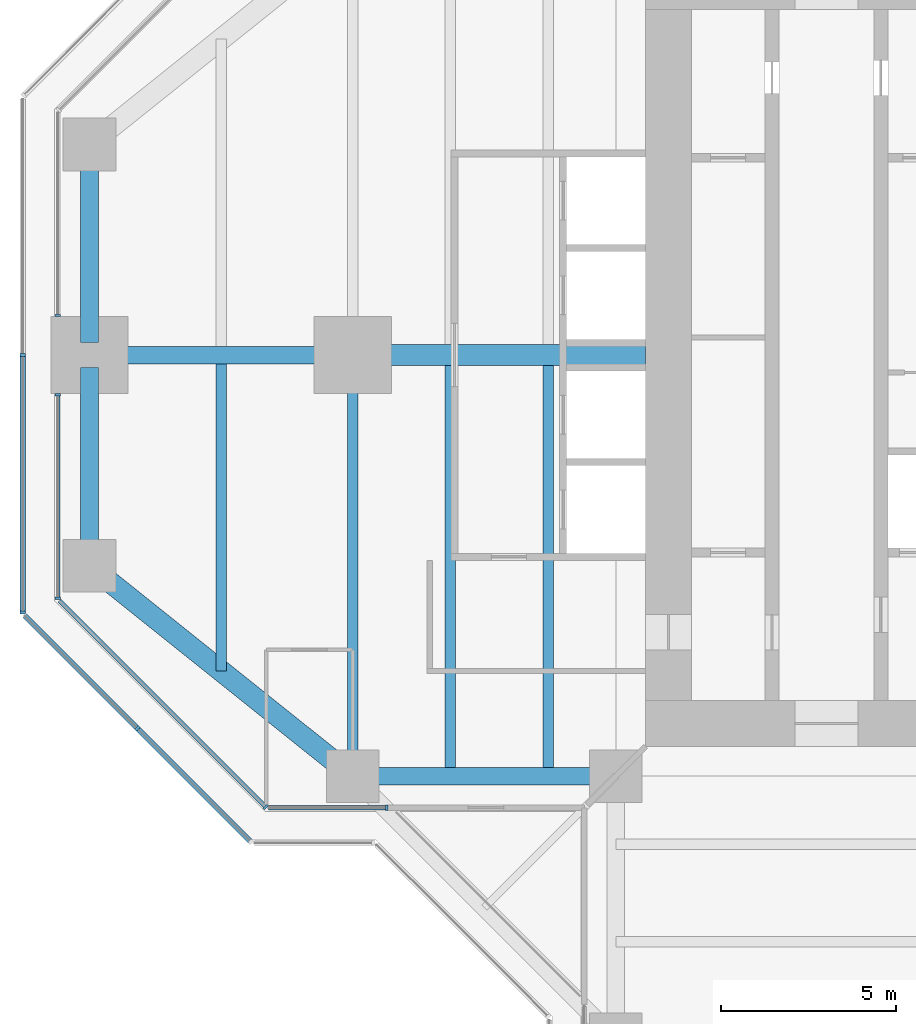
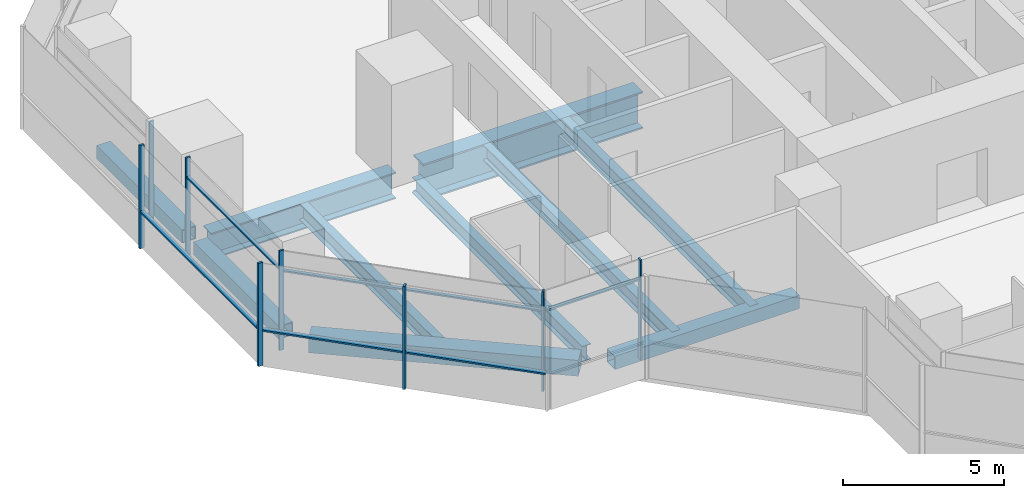
# One storey, part 3 of 17: 14 members, 10 beams, 6 elements without a shape of their own.
"""IFC4 building model written with IfcOpenShell, lengths in metres."""

from ifc_helpers import new_model, si_unit, direction, frame, origin, origin_2d, place, context, subcontext, project, spatial, rectangle, hollow_rectangle, i_section, extrude, material, material_profile, profile_set, type_object, element, aggregate, save


model = new_model("IFC4")

# Units and contexts
model_context = context("Model", 3, precision=1e-05, world=origin(), true_north=direction((0.0, 1.0)))
body_context = subcontext(model_context, "Body", "Model", "MODEL_VIEW")
ifc_project = project(units=[si_unit("LENGTHUNIT", "METRE"), si_unit("AREAUNIT", "SQUARE_METRE"), si_unit("VOLUMEUNIT", "CUBIC_METRE"), si_unit("PLANEANGLEUNIT", "RADIAN"), si_unit("MASSUNIT", "GRAM", prefix="KILO")], contexts=[model_context])

# Site, building, storey
site_placement = place(None, origin())
site = spatial("IfcSite", under=ifc_project, at=site_placement, CompositionType="ELEMENT")
building_placement = place(site_placement, origin())
building = spatial("IfcBuilding", under=site, at=building_placement, Name="Mizan Broadcast Tower", CompositionType="ELEMENT")
storey_placement = place(building_placement, frame((0.0, 0.0, 228.300048828125)))
storey = spatial("IfcBuildingStorey", under=building, at=storey_placement, Name="L53", CompositionType="ELEMENT", Elevation=228.300048828125)

# Beams
ifc_material_1 = material(Name="Steel S355", Category="steel")
ifc_material_profile_1 = material_profile(ifc_material_1, hollow_rectangle(XDim=0.5, YDim=0.5, WallThickness=0.030029296875, at=origin_2d()), Name="BOX 500x500x30")
ifc_profile_set_1 = profile_set([ifc_material_profile_1], Name="Steel S355")
beam_type_1 = type_object("IfcBeamType", Name="EDGE BEAM BOX 500x500x30", PredefinedType="SPANDREL", material=ifc_profile_set_1)
beam_1_placement = place(storey_placement, frame((-27.0, 5.639892578125, -0.380126953125), z_axis=(0.0, -1.0, 0.0), x_axis=(1.0, 0.0, 0.0)))
element("IfcBeam", 1, at=beam_1_placement, inside=storey, type_object=beam_type_1, Name="Edge beam BOX 500x500x30 L53 west arm", PredefinedType="SPANDREL", context=body_context, shape_type="SweptSolid", body=[
    extrude(hollow_rectangle(XDim=0.5, YDim=0.5, WallThickness=0.030029296875, at=origin_2d()), origin(), (0.0, 0.0, 1.0), 5.27978515625),
])
beam_2_placement = place(storey_placement, frame((-12.449951171875, -12.0, -0.380126953125), z_axis=(-1.0, 0.0, 0.0), x_axis=(0.0, -1.0, 0.0)))
element("IfcBeam", 2, at=beam_2_placement, inside=storey, type_object=beam_type_1, Name="Edge beam BOX 500x500x30 L53 west arm", PredefinedType="SPANDREL", context=body_context, shape_type="SweptSolid", body=[
    extrude(hollow_rectangle(XDim=0.5, YDim=0.5, WallThickness=0.030029296875, at=origin_2d()), origin(), (0.0, 0.0, 1.0), 6.60009765625),
])
beam_3_placement = place(storey_placement, frame((-27.0, -5.639892578125, -0.380126953125), z_axis=(0.0, 1.0, 0.0), x_axis=(-1.0, 0.0, 0.0)))
element("IfcBeam", 3, at=beam_3_placement, inside=storey, type_object=beam_type_1, Name="Edge beam BOX 500x500x30 L53 west arm", PredefinedType="SPANDREL", context=body_context, shape_type="SweptSolid", body=[
    extrude(hollow_rectangle(XDim=0.5, YDim=0.5, WallThickness=0.030029296875, at=origin_2d()), origin(), (0.0, 0.0, 1.0), 5.27978515625),
])
ifc_material_2 = material(Name="Steel S355", Category="steel")
ifc_material_profile_2 = material_profile(ifc_material_2, hollow_rectangle(XDim=0.60009765625, YDim=0.60009765625, WallThickness=0.030029296875, at=origin_2d()), Name="BOX 600x600x30")
ifc_profile_set_2 = profile_set([ifc_material_profile_2], Name="Steel S355")
beam_type_2 = type_object("IfcBeamType", Name="EDGE BEAM BOX 600x600x30", PredefinedType="SPANDREL", material=ifc_profile_set_2)
beam_4_placement = place(storey_placement, frame((-19.949951171875, -11.639892578125, -0.429931640625), z_axis=(-0.780885717636, 0.624673911726, 0.0), x_axis=(-0.624673911726, -0.780885717636, 0.0)))
element("IfcBeam", 4, at=beam_4_placement, inside=storey, type_object=beam_type_2, Name="Edge beam BOX 600x600x30 L53 west arm", PredefinedType="SPANDREL", context=body_context, shape_type="SweptSolid", body=[
    extrude(hollow_rectangle(XDim=0.60009765625, YDim=0.60009765625, WallThickness=0.030029296875, at=origin_2d()), origin(), (0.0, 0.0, 1.0), 8.4521484375),
])
ifc_material_3 = material(Name="Steel S355", Category="steel")
ifc_material_profile_3 = material_profile(ifc_material_3, i_section(OverallWidth=0.300048828125, OverallDepth=0.590087890625, WebThickness=0.012939453125, FlangeThickness=0.02490234375, FilletRadius=0.027099609375, at=origin_2d()), Name="HEA 600")
ifc_profile_set_3 = profile_set([ifc_material_profile_3], Name="Steel S355")
beam_type_3 = type_object("IfcBeamType", Name="GIRDER HEA 600", PredefinedType="BEAM", material=ifc_profile_set_3)
beam_5_placement = place(storey_placement, frame((-19.5, -11.280029296875, -0.425048828125), z_axis=(0.0, 1.0, 0.0), x_axis=(-1.0, 0.0, 0.0)))
element("IfcBeam", 5, at=beam_5_placement, inside=storey, type_object=beam_type_3, Name="Girder HEA 600 L53 west arm", PredefinedType="BEAM", context=body_context, shape_type="SweptSolid", body=[
    extrude(i_section(OverallWidth=0.300048828125, OverallDepth=0.590087890625, WebThickness=0.012939453125, FlangeThickness=0.02490234375, FilletRadius=0.027099609375, at=origin_2d()), origin(), (0.0, 0.0, 1.0), 10.56005859375),
])
ifc_material_4 = material(Name="Steel S460", Category="steel")
ifc_material_profile_4 = material_profile(ifc_material_4, i_section(OverallWidth=0.5, OverallDepth=1.0, WebThickness=0.02490234375, FlangeThickness=0.050048828125, at=origin_2d()), Name="WPG 1000x500")
ifc_profile_set_4 = profile_set([ifc_material_profile_4], Name="Steel S460")
beam_type_4 = type_object("IfcBeamType", Name="GIRDER WPG 1000x500", PredefinedType="BEAM", material=ifc_profile_set_4)
beam_6_placement = place(storey_placement, frame((-19.949951171875, 0.0, -0.630126953125), z_axis=(-1.0, 0.0, 0.0), x_axis=(0.0, -1.0, 0.0)))
element("IfcBeam", 6, at=beam_6_placement, inside=storey, type_object=beam_type_4, Name="Girder WPG 1000x500 L53 west arm", PredefinedType="BEAM", context=body_context, shape_type="SweptSolid", body=[
    extrude(i_section(OverallWidth=0.5, OverallDepth=1.0, WebThickness=0.02490234375, FlangeThickness=0.050048828125, at=origin_2d()), origin(), (0.0, 0.0, 1.0), 6.60009765625),
])
ifc_material_5 = material(Name="Steel S460", Category="steel")
ifc_material_profile_5 = material_profile(ifc_material_5, i_section(OverallWidth=0.60009765625, OverallDepth=1.39990234375, WebThickness=0.02490234375, FlangeThickness=0.06005859375, at=origin_2d()), Name="WPG 1400x600")
ifc_profile_set_5 = profile_set([ifc_material_profile_5], Name="Steel S460")
beam_type_5 = type_object("IfcBeamType", Name="GIRDER WPG 1400x600", PredefinedType="BEAM", material=ifc_profile_set_5)
beam_7_placement = place(storey_placement, frame((-11.14990234375, 0.0, -0.830078125), z_axis=(-1.0, 0.0, 0.0), x_axis=(0.0, -1.0, 0.0)))
element("IfcBeam", 7, at=beam_7_placement, inside=storey, type_object=beam_type_5, Name="Girder WPG 1400x600 L53 west arm", PredefinedType="BEAM", context=body_context, shape_type="SweptSolid", body=[
    extrude(i_section(OverallWidth=0.60009765625, OverallDepth=1.39990234375, WebThickness=0.02490234375, FlangeThickness=0.06005859375, at=origin_2d()), origin(), (0.0, 0.0, 1.0), 7.84912109375),
])

# Curtain wall, member
ifc_material_6 = material(Name="Aluminium framed glazing", Category="aluminium")
curtain_wall_type_1 = type_object("IfcCurtainWallType", Name="INNER SKIN HIGH ZONE", PredefinedType="USERDEFINED", material=ifc_material_6)
curtain_wall_1_placement = place(storey_placement, origin())
curtain_wall_1 = element("IfcCurtainWall", 8, at=curtain_wall_1_placement, inside=storey, type_object=curtain_wall_type_1, Name="Inner skin high zone L53 W end", ObjectType="INNER SKIN HIGH ZONE", PredefinedType="USERDEFINED")
ifc_material_7 = material(Name="Aluminium, pale anodised", Category="aluminium")
ifc_material_profile_6 = material_profile(ifc_material_7, rectangle(XDim=0.159912109375, YDim=0.06005859375, at=origin_2d()), Name="MULLION 160x60")
ifc_profile_set_6 = profile_set([ifc_material_profile_6], Name="Aluminium, pale anodised")
member_type_1 = type_object("IfcMemberType", Name="INNER SKIN MULLION 60x160", PredefinedType="MULLION", material=ifc_profile_set_6)
member_1_placement = place(storey_placement, frame((-27.89990234375, 1.1298828125, 0.0), z_axis=(0.0, 0.0, 1.0), x_axis=(1.0, 0.0, 0.0)))
member_1 = element("IfcMember", 9, at=member_1_placement, type_object=member_type_1, Name="Inner skin high zone L53 W end mullion 2", PredefinedType="MULLION", context=body_context, shape_type="SweptSolid", body=[
    extrude(rectangle(XDim=0.159912109375, YDim=0.06005859375, at=origin_2d()), origin(), (0.0, 0.0, 1.0), 3.77001953125),
])
aggregate(curtain_wall_1, [member_1])

# Curtain wall, members
curtain_wall_2_placement = place(storey_placement, origin())
curtain_wall_2 = element("IfcCurtainWall", 10, at=curtain_wall_2_placement, inside=storey, type_object=curtain_wall_type_1, Name="Inner skin high zone L53 W end", ObjectType="INNER SKIN HIGH ZONE", PredefinedType="USERDEFINED")
member_2_placement = place(storey_placement, frame((-27.89990234375, -1.1298828125, 0.0), z_axis=(0.0, 0.0, 1.0), x_axis=(1.0, 0.0, 0.0)))
member_2 = element("IfcMember", 11, at=member_2_placement, type_object=member_type_1, Name="Inner skin high zone L53 W end mullion 1", PredefinedType="MULLION", context=body_context, shape_type="SweptSolid", body=[
    extrude(rectangle(XDim=0.159912109375, YDim=0.06005859375, at=origin_2d()), origin(), (0.0, 0.0, 1.0), 3.77001953125),
])
member_3_placement = place(storey_placement, frame((-27.89990234375, -6.928466796875, 0.0), z_axis=(0.0, 0.0, 1.0), x_axis=(1.0, 0.0, 0.0)))
member_3 = element("IfcMember", 12, at=member_3_placement, type_object=member_type_1, Name="Inner skin high zone L53 W end mullion 2", PredefinedType="MULLION", context=body_context, shape_type="SweptSolid", body=[
    extrude(rectangle(XDim=0.159912109375, YDim=0.06005859375, at=origin_2d()), origin(), (0.0, 0.0, 1.0), 3.77001953125),
])

# Curtain wall, member
curtain_wall_3_placement = place(storey_placement, origin())
curtain_wall_3 = element("IfcCurtainWall", 13, at=curtain_wall_3_placement, inside=storey, type_object=curtain_wall_type_1, Name="Inner skin high zone L53 W chamfer", ObjectType="INNER SKIN HIGH ZONE", PredefinedType="USERDEFINED")
member_4_placement = place(storey_placement, frame((-21.979736328125, -12.87890625, 0.0), z_axis=(0.0, 0.0, 1.0), x_axis=(0.707106781187, 0.707106781187, 0.0)))
member_4 = element("IfcMember", 14, at=member_4_placement, type_object=member_type_1, Name="Inner skin high zone L53 W chamfer mullion 2", PredefinedType="MULLION", context=body_context, shape_type="SweptSolid", body=[
    extrude(rectangle(XDim=0.159912109375, YDim=0.06005859375, at=origin_2d()), origin(), (0.0, 0.0, 1.0), 3.77001953125),
])

curtain_wall_4_placement = place(storey_placement, origin())
curtain_wall_4 = element("IfcCurtainWall", 15, at=curtain_wall_4_placement, inside=storey, type_object=curtain_wall_type_1, Name="Inner skin high zone L53 W side", ObjectType="INNER SKIN HIGH ZONE", PredefinedType="USERDEFINED")
member_5_placement = place(storey_placement, frame((-18.530029296875, -12.89990234375, 0.0), z_axis=(0.0, 0.0, 1.0), x_axis=(0.0, 1.0, 0.0)))
member_5 = element("IfcMember", 16, at=member_5_placement, type_object=member_type_1, Name="Inner skin high zone L53 W side mullion 2", PredefinedType="MULLION", context=body_context, shape_type="SweptSolid", body=[
    extrude(rectangle(XDim=0.159912109375, YDim=0.06005859375, at=origin_2d()), origin(), (0.0, 0.0, 1.0), 3.77001953125),
])

# Member
ifc_material_8 = material(Name="Aluminium, pale anodised", Category="aluminium")
ifc_material_profile_7 = material_profile(ifc_material_8, rectangle(XDim=0.1201171875, YDim=0.06005859375, at=origin_2d()), Name="TRANSOM 120x60")
ifc_profile_set_7 = profile_set([ifc_material_profile_7], Name="Aluminium, pale anodised")
member_type_2 = type_object("IfcMemberType", Name="INNER SKIN TRANSOM 60x120", PredefinedType="USERDEFINED", material=ifc_profile_set_7)
member_6_placement = place(storey_placement, frame((-27.89990234375, -1.159912109375, 3.030029296875), z_axis=(0.0, -1.0, 0.0), x_axis=(1.0, 0.0, 0.0)))
member_6 = element("IfcMember", 17, at=member_6_placement, type_object=member_type_2, Name="Inner skin high zone L53 W end transom 1.1", ObjectType="TRANSOM", PredefinedType="USERDEFINED", context=body_context, shape_type="SweptSolid", body=[
    extrude(rectangle(XDim=0.1201171875, YDim=0.06005859375, at=origin_2d()), origin(), (0.0, 0.0, 1.0), 5.73876953125),
])

aggregate(curtain_wall_2, [member_2, member_3, member_6])

member_7_placement = place(storey_placement, frame((-27.857666015625, -7.0009765625, 3.030029296875), z_axis=(0.707106781187, -0.707106781187, 0.0), x_axis=(0.707106781187, 0.707106781187, 0.0)))
member_7 = element("IfcMember", 18, at=member_7_placement, type_object=member_type_2, Name="Inner skin high zone L53 W chamfer transom 1.1", ObjectType="TRANSOM", PredefinedType="USERDEFINED", context=body_context, shape_type="SweptSolid", body=[
    extrude(rectangle(XDim=0.1201171875, YDim=0.06005859375, at=origin_2d()), origin(), (0.0, 0.0, 1.0), 8.28271484375),
])

aggregate(curtain_wall_3, [member_4, member_7])

member_8_placement = place(storey_placement, frame((-21.898681640625, -12.89990234375, 3.030029296875), z_axis=(1.0, 0.0, 0.0), x_axis=(0.0, 1.0, 0.0)))
member_8 = element("IfcMember", 19, at=member_8_placement, type_object=member_type_2, Name="Inner skin high zone L53 W side transom 1.1", ObjectType="TRANSOM", PredefinedType="USERDEFINED", context=body_context, shape_type="SweptSolid", body=[
    extrude(rectangle(XDim=0.1201171875, YDim=0.06005859375, at=origin_2d()), origin(), (0.0, 0.0, 1.0), 3.338623046875),
])

aggregate(curtain_wall_4, [member_5, member_8])

# Curtain wall, members
ifc_material_9 = material(Name="Aluminium framed glazing", Category="aluminium")
curtain_wall_type_2 = type_object("IfcCurtainWallType", Name="OUTER SKIN", PredefinedType="USERDEFINED", material=ifc_material_9)
curtain_wall_5_placement = place(storey_placement, origin())
curtain_wall_5 = element("IfcCurtainWall", 20, at=curtain_wall_5_placement, inside=storey, type_object=curtain_wall_type_2, Name="Outer skin L53 W end", ObjectType="OUTER SKIN", PredefinedType="USERDEFINED")
ifc_material_10 = material(Name="Aluminium, pale anodised", Category="aluminium")
ifc_material_profile_8 = material_profile(ifc_material_10, rectangle(XDim=0.159912109375, YDim=0.080078125, at=origin_2d()), Name="MULLION 160x80")
ifc_profile_set_8 = profile_set([ifc_material_profile_8], Name="Aluminium, pale anodised")
member_type_3 = type_object("IfcMemberType", Name="OUTER SKIN MULLION 80x160", PredefinedType="MULLION", material=ifc_profile_set_8)
member_9_placement = place(storey_placement, frame((-28.89990234375, 0.0, 0.0), z_axis=(0.0, 0.0, 1.0), x_axis=(1.0, 0.0, 0.0)))
member_9 = element("IfcMember", 21, at=member_9_placement, type_object=member_type_3, Name="Outer skin L53 W end mullion 2", PredefinedType="MULLION", context=body_context, shape_type="SweptSolid", body=[
    extrude(rectangle(XDim=0.159912109375, YDim=0.080078125, at=origin_2d()), origin(), (0.0, 0.0, 1.0), 3.89990234375),
])
member_10_placement = place(storey_placement, frame((-28.89990234375, -7.332763671875, 0.0), z_axis=(0.0, 0.0, 1.0), x_axis=(1.0, 0.0, 0.0)))
member_10 = element("IfcMember", 22, at=member_10_placement, type_object=member_type_3, Name="Outer skin L53 W end mullion 3", PredefinedType="MULLION", context=body_context, shape_type="SweptSolid", body=[
    extrude(rectangle(XDim=0.159912109375, YDim=0.080078125, at=origin_2d()), origin(), (0.0, 0.0, 1.0), 3.89990234375),
])

# Curtain wall, member
curtain_wall_6_placement = place(storey_placement, origin())
curtain_wall_6 = element("IfcCurtainWall", 23, at=curtain_wall_6_placement, inside=storey, type_object=curtain_wall_type_2, Name="Outer skin L53 W chamfer", ObjectType="OUTER SKIN", PredefinedType="USERDEFINED")
member_11_placement = place(storey_placement, frame((-25.636474609375, -10.636474609375, 0.0), z_axis=(0.0, 0.0, 1.0), x_axis=(0.707106781187, 0.707106781187, 0.0)))
member_11 = element("IfcMember", 24, at=member_11_placement, type_object=member_type_3, Name="Outer skin L53 W chamfer mullion 2", PredefinedType="MULLION", context=body_context, shape_type="SweptSolid", body=[
    extrude(rectangle(XDim=0.159912109375, YDim=0.080078125, at=origin_2d()), origin(), (0.0, 0.0, 1.0), 3.89990234375),
])

# Member
ifc_material_11 = material(Name="Aluminium, pale anodised", Category="aluminium")
ifc_material_profile_9 = material_profile(ifc_material_11, rectangle(XDim=0.159912109375, YDim=0.06005859375, at=origin_2d()), Name="TRANSOM 160x60")
ifc_profile_set_9 = profile_set([ifc_material_profile_9], Name="Aluminium, pale anodised")
member_type_4 = type_object("IfcMemberType", Name="OUTER SKIN TRANSOM 60x160", PredefinedType="USERDEFINED", material=ifc_profile_set_9)
member_12_placement = place(storey_placement, frame((-28.89990234375, -0.0400390625, 1.39990234375), z_axis=(0.0, -1.0, 0.0), x_axis=(1.0, 0.0, 0.0)))
member_12 = element("IfcMember", 25, at=member_12_placement, type_object=member_type_4, Name="Outer skin L53 W end transom 2.1", ObjectType="TRANSOM", PredefinedType="USERDEFINED", context=body_context, shape_type="SweptSolid", body=[
    extrude(rectangle(XDim=0.159912109375, YDim=0.06005859375, at=origin_2d()), origin(), (0.0, 0.0, 1.0), 7.252685546875),
])

aggregate(curtain_wall_5, [member_9, member_10, member_12])

member_13_placement = place(storey_placement, frame((-28.843505859375, -7.429443359375, 1.39990234375), z_axis=(0.707106781187, -0.707106781187, 0.0), x_axis=(0.707106781187, 0.707106781187, 0.0)))
member_13 = element("IfcMember", 26, at=member_13_placement, type_object=member_type_4, Name="Outer skin L53 W chamfer transom 1.1", ObjectType="TRANSOM", PredefinedType="USERDEFINED", context=body_context, shape_type="SweptSolid", body=[
    extrude(rectangle(XDim=0.159912109375, YDim=0.06005859375, at=origin_2d()), origin(), (0.0, 0.0, 1.0), 4.495361328125),
])

member_14_placement = place(storey_placement, frame((-25.608154296875, -10.664794921875, 1.39990234375), z_axis=(0.707106781187, -0.707106781187, 0.0), x_axis=(0.707106781187, 0.707106781187, 0.0)))
member_14 = element("IfcMember", 27, at=member_14_placement, type_object=member_type_4, Name="Outer skin L53 W chamfer transom 2.1", ObjectType="TRANSOM", PredefinedType="USERDEFINED", context=body_context, shape_type="SweptSolid", body=[
    extrude(rectangle(XDim=0.159912109375, YDim=0.06005859375, at=origin_2d()), origin(), (0.0, 0.0, 1.0), 4.495361328125),
])

aggregate(curtain_wall_6, [member_11, member_13, member_14])

# Beams
ifc_material_12 = material(Name="Steel S355", Category="steel")
ifc_material_profile_10 = material_profile(ifc_material_12, i_section(OverallWidth=0.300048828125, OverallDepth=0.590087890625, WebThickness=0.012939453125, FlangeThickness=0.02490234375, FilletRadius=0.027099609375, at=origin_2d()), Name="HEA 600")
ifc_profile_set_10 = profile_set([ifc_material_profile_10], Name="Steel S355")
beam_type_6 = type_object("IfcBeamType", Name="SECONDARY BEAM HEA 600", PredefinedType="JOIST", material=ifc_profile_set_10)
for number, where, z_axis, x_axis, name in (
    (28, (-13.933349609375, -12.0, -0.425048828125), (0.0, 1.0, 0.0), (-1.0, 0.0, 0.0), "Secondary beam HEA 600 L53 west arm"),
    (29, (-16.716552734375, -12.0, -0.425048828125), (0.0, 1.0, 0.0), (-1.0, 0.0, 0.0), "Secondary beam HEA 600 L53 west arm"),
):
    element("IfcBeam", number, at=place(storey_placement, frame(where, z_axis=z_axis, x_axis=x_axis)), inside=storey, type_object=beam_type_6, Name=name, PredefinedType="JOIST", context=body_context, shape_type="SweptSolid", body=[
        extrude(i_section(OverallWidth=0.300048828125, OverallDepth=0.590087890625, WebThickness=0.012939453125, FlangeThickness=0.02490234375, FilletRadius=0.027099609375, at=origin_2d()), origin(), (0.0, 0.0, 1.0), 11.699951171875),
    ])
beam_8_placement = place(storey_placement, frame((-23.25, -9.0, -0.425048828125), z_axis=(0.0, 1.0, 0.0), x_axis=(-1.0, 0.0, 0.0)))
element("IfcBeam", 30, at=beam_8_placement, inside=storey, type_object=beam_type_6, Name="Secondary beam HEA 600 L53 west arm", PredefinedType="JOIST", context=body_context, shape_type="SweptSolid", body=[
    extrude(i_section(OverallWidth=0.300048828125, OverallDepth=0.590087890625, WebThickness=0.012939453125, FlangeThickness=0.02490234375, FilletRadius=0.027099609375, at=origin_2d()), origin(), (0.0, 0.0, 1.0), 8.75),
])

save(model, "model.ifc")
